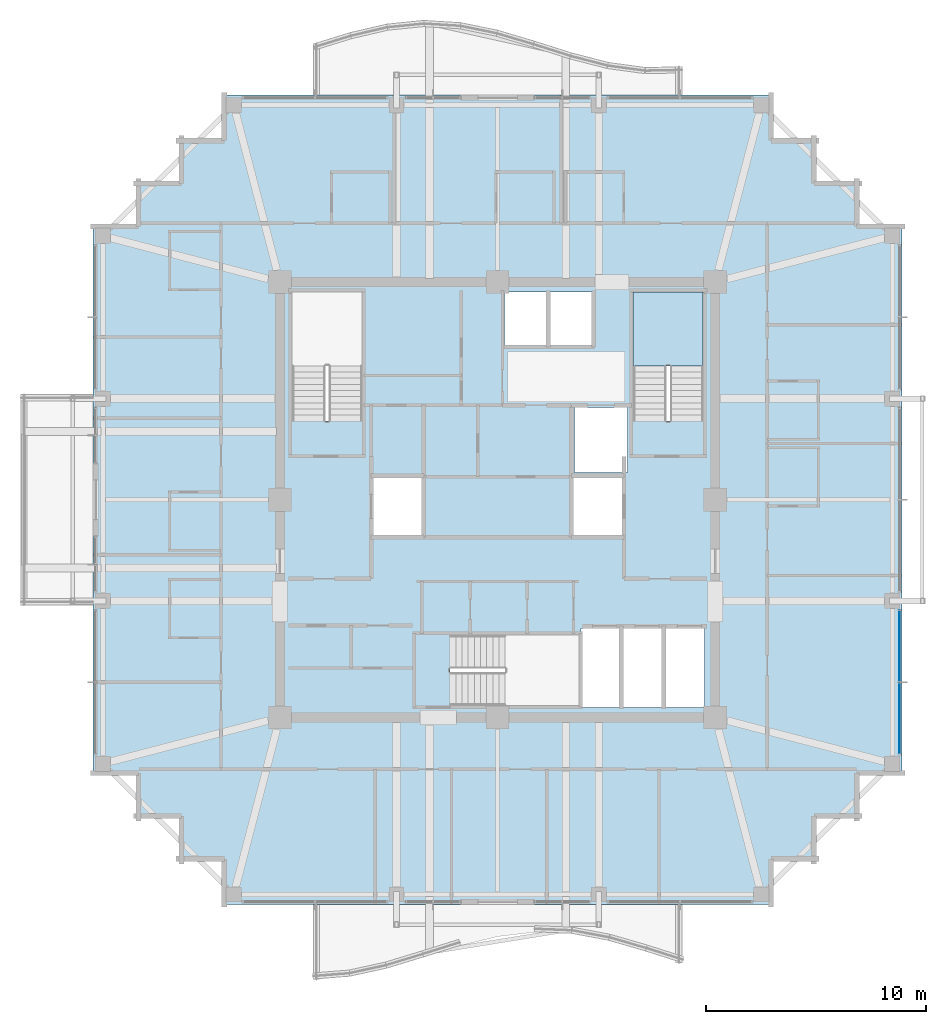
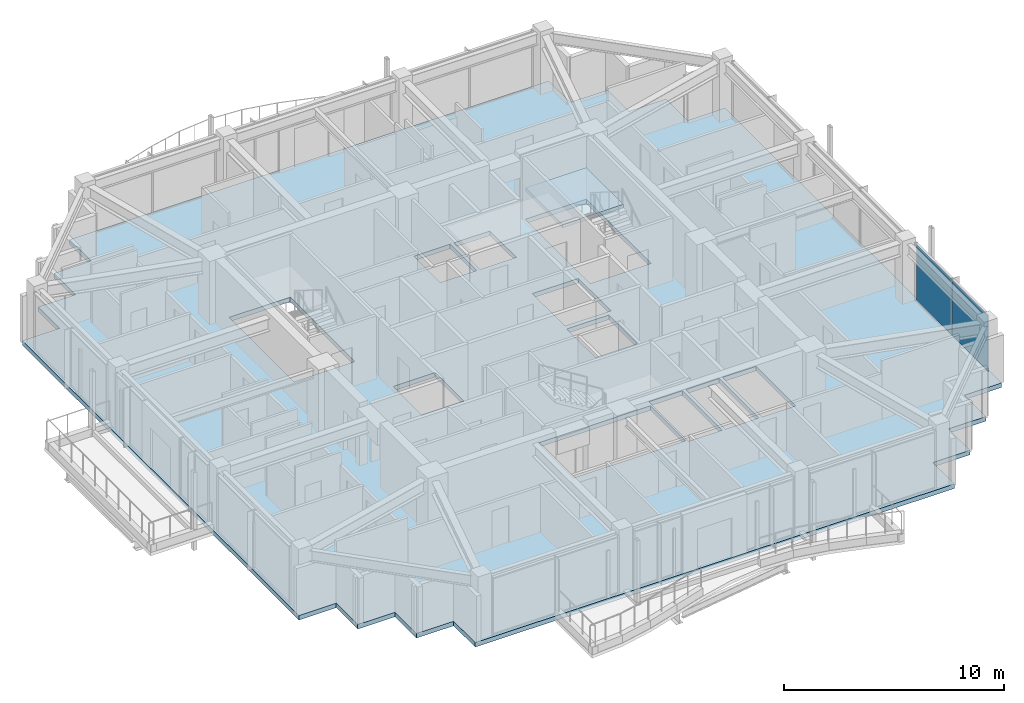
# One storey, part 24 of 34: 2 plates, 2 slabs, 2 elements without a shape of their own.
"""IFC4 building model written with IfcOpenShell, lengths in metres."""

from ifc_helpers import new_model, si_unit, direction, frame, origin, origin_2d, place, context, subcontext, project, spatial, polyline, rectangle, outline, extrude, material, layer, layer_set, type_object, element, aggregate, save


model = new_model("IFC4")

# Units and contexts
model_context = context("Model", 3, precision=1e-05, world=origin(), true_north=direction((0.0, 1.0)))
body_context = subcontext(model_context, "Body", "Model", "MODEL_VIEW")
ifc_project = project(units=[si_unit("LENGTHUNIT", "METRE"), si_unit("AREAUNIT", "SQUARE_METRE"), si_unit("VOLUMEUNIT", "CUBIC_METRE"), si_unit("PLANEANGLEUNIT", "RADIAN"), si_unit("MASSUNIT", "GRAM", prefix="KILO")], contexts=[model_context])

# Site, building, storey
site_placement = place(None, origin())
site = spatial("IfcSite", under=ifc_project, at=site_placement, CompositionType="ELEMENT")
building_placement = place(site_placement, origin())
building = spatial("IfcBuilding", under=site, at=building_placement, Name="Kolvaren Belvedere", CompositionType="ELEMENT")
storey_placement = place(building_placement, frame((0.0, 0.0, 240.89990234375)))
storey = spatial("IfcBuildingStorey", under=building, at=storey_placement, Name="L70", CompositionType="ELEMENT", Elevation=240.89990234375)

# Curtain wall, plates
ifc_material_1 = material(Name="Anodised pale-metal aluminium AA 6063-T6", Category="aluminium")
curtain_wall_type = type_object("IfcCurtainWallType", Name="CW-Z5-HIGH", PredefinedType="NOTDEFINED", material=ifc_material_1)
curtain_wall_placement = place(storey_placement, origin())
curtain_wall = element("IfcCurtainWall", 1, at=curtain_wall_placement, inside=storey, type_object=curtain_wall_type, Name="L70 Unitised Curtain Wall FCW-L70-E-B3", PredefinedType="NOTDEFINED")
ifc_material_2 = material(Name="Low-iron triple insulated glass", Category="glass")
ifc_layer_1 = layer(ifc_material_2, 0.028076171875)
ifc_layer_set_1 = layer_set([ifc_layer_1], Name="Low-iron triple insulated glass")
plate_type = type_object("IfcPlateType", Name="CW-PNL-VIS28", PredefinedType="CURTAIN_PANEL", material=ifc_layer_set_1)
plate_1_placement = place(storey_placement, frame((18.280029296875, -6.652587890625, 0.080078125), z_axis=(0.0, 0.0, 1.0), x_axis=(0.0, -1.0, 0.0)))
plate_1 = element("IfcPlate", 2, at=plate_1_placement, type_object=plate_type, Name="FCW-L70-E-B3 Vision Glazing Panel 1", PredefinedType="CURTAIN_PANEL", context=body_context, shape_type="SweptSolid", body=[
    extrude(rectangle(XDim=3.215087890625, YDim=0.028076171875, at=origin_2d()), origin(), (0.0, 0.0, 1.0), 3.090087890625),
])
plate_2_placement = place(storey_placement, frame((18.280029296875, -9.947509765625, 0.080078125), z_axis=(0.0, 0.0, 1.0), x_axis=(0.0, -1.0, 0.0)))
plate_2 = element("IfcPlate", 3, at=plate_2_placement, type_object=plate_type, Name="FCW-L70-E-B3 Vision Glazing Panel 2", PredefinedType="CURTAIN_PANEL", context=body_context, shape_type="SweptSolid", body=[
    extrude(rectangle(XDim=3.215087890625, YDim=0.028076171875, at=origin_2d()), origin(), (0.0, 0.0, 1.0), 3.090087890625),
])
aggregate(curtain_wall, [plate_1, plate_2])

# Slab
ifc_material_3 = material(Name="Concrete C50/60", Category="concrete")
ifc_layer_2 = layer(ifc_material_3, 0.25)
ifc_layer_set_2 = layer_set([ifc_layer_2], Name="Concrete C50/60")
slab_type_1 = type_object("IfcSlabType", Name="SL-FLR-250", PredefinedType="FLOOR", material=ifc_layer_set_2)
slab_1_placement = place(storey_placement, frame((0.0, 0.0, -0.25)))
element("IfcSlab", 4, at=slab_1_placement, inside=storey, type_object=slab_type_1, Name="L70 Primary Structural Slab", PredefinedType="FLOOR", context=body_context, shape_type="SweptSolid", body=[
    extrude(outline(polyline([(-12.550048828125, -18.39990234375), (12.550048828125, -18.39990234375), (12.550048828125, -16.449951171875), (14.5, -16.449951171875), (14.5, -14.5), (16.449951171875, -14.5), (16.449951171875, -12.550048828125), (18.39990234375, -12.550048828125), (18.39990234375, 12.550048828125), (16.449951171875, 12.550048828125), (16.449951171875, 14.5), (14.5, 14.5), (14.5, 16.449951171875), (12.550048828125, 16.449951171875), (12.550048828125, 18.39990234375), (-12.550048828125, 18.39990234375), (-12.550048828125, 16.449951171875), (-14.5, 16.449951171875), (-14.5, 14.5), (-16.449951171875, 14.5), (-16.449951171875, 12.550048828125), (-18.39990234375, 12.550048828125), (-18.39990234375, -12.550048828125), (-16.449951171875, -12.550048828125), (-16.449951171875, -14.5), (-14.5, -14.5), (-14.5, -16.449951171875), (-12.550048828125, -16.449951171875), (-12.550048828125, -18.39990234375)]), holes=[polyline([(-9.35009765625, 3.580078125), (-6.159912109375, 3.580078125), (-6.159912109375, 9.449951171875), (-9.35009765625, 9.449951171875), (-9.35009765625, 3.580078125)]), polyline([(6.159912109375, 3.580078125), (9.35009765625, 3.580078125), (9.35009765625, 9.449951171875), (6.159912109375, 9.449951171875), (6.159912109375, 3.580078125)]), polyline([(-2.169921875, -9.35009765625), (3.699951171875, -9.35009765625), (3.699951171875, -6.159912109375), (-2.169921875, -6.159912109375), (-2.169921875, -9.35009765625)]), polyline([(-5.64990234375, -1.60009765625), (-3.449951171875, -1.60009765625), (-3.449951171875, 1.0), (-5.64990234375, 1.0), (-5.64990234375, -1.60009765625)]), polyline([(3.5, 1.25), (5.89990234375, 1.25), (5.89990234375, 4.199951171875), (3.5, 4.199951171875), (3.5, 1.25)]), polyline([(3.449951171875, -1.60009765625), (5.64990234375, -1.60009765625), (5.64990234375, 1.0), (3.449951171875, 1.0), (3.449951171875, -1.60009765625)]), polyline([(3.7900390625, -9.449951171875), (5.5400390625, -9.449951171875), (5.5400390625, -5.85009765625), (3.7900390625, -5.85009765625), (3.7900390625, -9.449951171875)]), polyline([(5.719970703125, -9.449951171875), (7.469970703125, -9.449951171875), (7.469970703125, -5.85009765625), (5.719970703125, -5.85009765625), (5.719970703125, -9.449951171875)]), polyline([(7.64990234375, -9.449951171875), (9.39990234375, -9.449951171875), (9.39990234375, -5.85009765625), (7.64990234375, -5.85009765625), (7.64990234375, -9.449951171875)]), polyline([(0.320068359375, 7.050048828125), (2.219970703125, 7.050048828125), (2.219970703125, 9.449951171875), (0.320068359375, 9.449951171875), (0.320068359375, 7.050048828125)]), polyline([(2.39990234375, 7.050048828125), (4.300048828125, 7.050048828125), (4.300048828125, 9.449951171875), (2.39990234375, 9.449951171875), (2.39990234375, 7.050048828125)])]), origin(), (0.0, 0.0, 1.0), 0.25),
])

# Stair, slab
ifc_material_4 = material(Name="Concrete C50/60", Category="concrete")
stair_type = type_object("IfcStairType", Name="ST-CORE-1520", PredefinedType="HALF_TURN_STAIR", material=ifc_material_4)
stair_placement = place(storey_placement, origin())
stair = element("IfcStair", 5, at=stair_placement, inside=storey, type_object=stair_type, Name="L70 Protected Exit Stair ST-2", PredefinedType="HALF_TURN_STAIR")
ifc_material_5 = material(Name="Concrete C50/60", Category="concrete")
ifc_layer_3 = layer(ifc_material_5, 0.260009765625)
ifc_layer_set_3 = layer_set([ifc_layer_3], Name="Concrete C50/60")
slab_type_2 = type_object("IfcSlabType", Name="SL-LAND-260", PredefinedType="LANDING", material=ifc_layer_set_3)
slab_2_placement = place(storey_placement, frame((0.0, 0.0, 1.550048828125)))
slab_2 = element("IfcSlab", 6, at=slab_2_placement, type_object=slab_type_2, Name="ST-2 landing 1", PredefinedType="LANDING", context=body_context, shape_type="SweptSolid", body=[
    extrude(outline(polyline([(9.35009765625, 6.090087890625), (9.35009765625, 9.449951171875), (6.159912109375, 9.449951171875), (6.159912109375, 6.090087890625), (9.35009765625, 6.090087890625)])), origin(), (0.0, 0.0, 1.0), 0.199951171875),
])
aggregate(stair, [slab_2])

save(model, "model.ifc")
